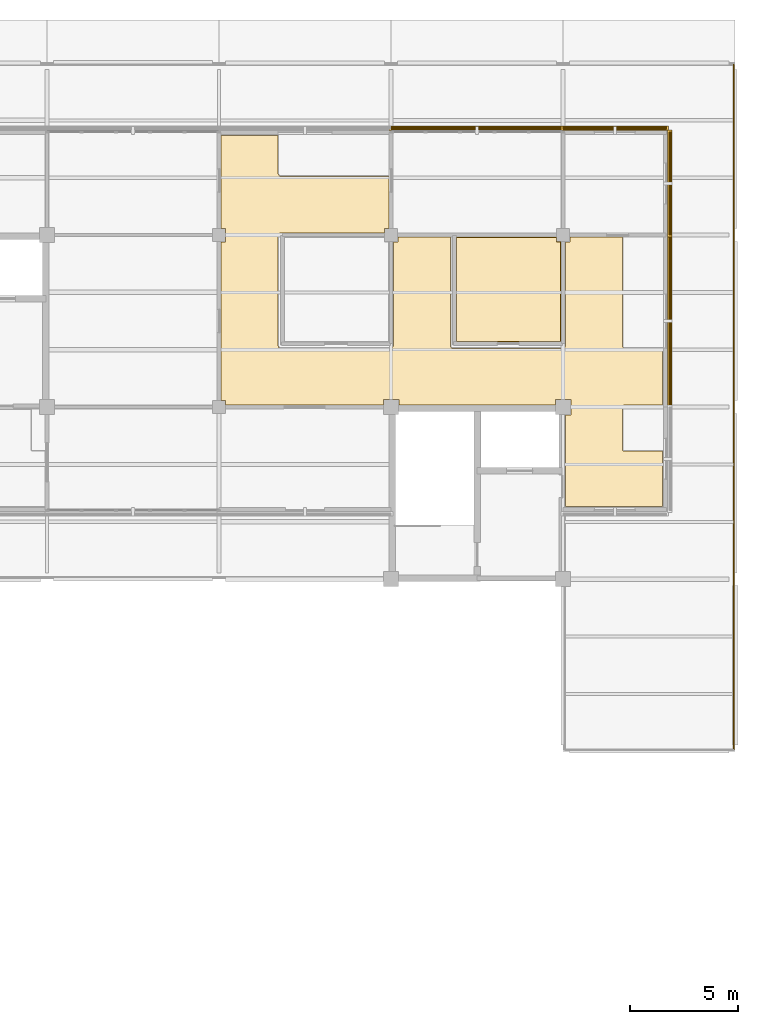
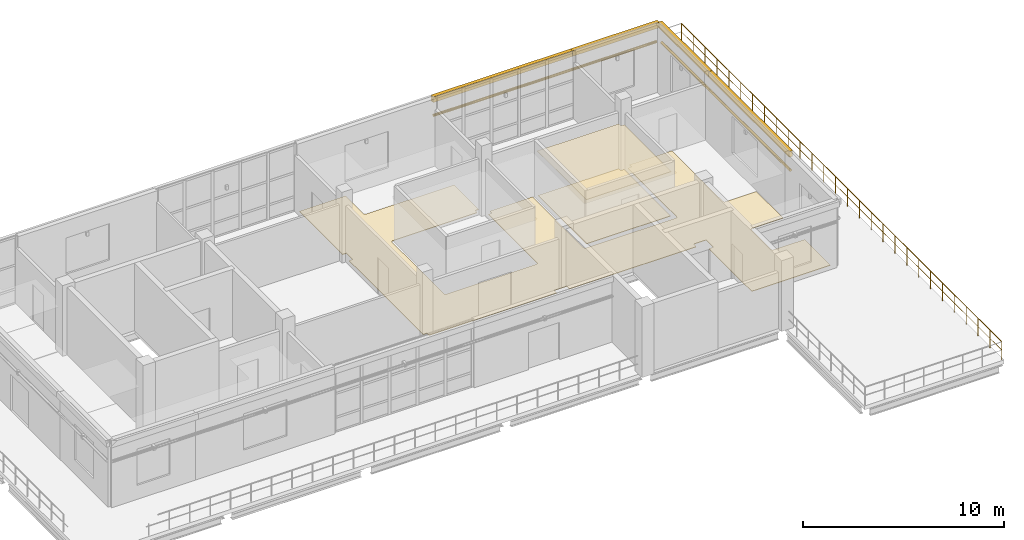
# One storey, part 24 of 24: 7 coverings, 4 shading devices, 1 railing.
"""IFC4 building model written with IfcOpenShell, lengths in metres."""

from ifc_helpers import new_model, si_unit, derived_unit, direction, frame, origin, origin_2d, place, context, subcontext, project, spatial, polyline, rectangle, circle, outline, extrude, material, layer, layer_set, material_profile, profile_set, type_object, element, save


model = new_model("IFC4")

# Units and contexts
model_context = context("Model", 3, precision=1e-05, world=origin(), true_north=direction((0.0, 1.0)))
body_context = subcontext(model_context, "Body", "Model", "MODEL_VIEW")
ifc_project = project(units=[si_unit("LENGTHUNIT", "METRE"), si_unit("AREAUNIT", "SQUARE_METRE"), si_unit("VOLUMEUNIT", "CUBIC_METRE"), si_unit("PLANEANGLEUNIT", "RADIAN"), si_unit("MASSUNIT", "GRAM", prefix="KILO"), derived_unit("THERMALTRANSMITTANCEUNIT", [(si_unit("MASSUNIT", "GRAM", prefix="KILO"), 1), (si_unit("TIMEUNIT", "SECOND"), -3), (si_unit("THERMODYNAMICTEMPERATUREUNIT", "KELVIN"), -1)])], contexts=[model_context])

# Site, building, storey
site_placement = place(None, origin())
site = spatial("IfcSite", under=ifc_project, at=site_placement, CompositionType="ELEMENT")
building_placement = place(site_placement, origin())
building = spatial("IfcBuilding", under=site, at=building_placement, Name="Veyamyaing Civic Hall", CompositionType="ELEMENT")
storey_placement = place(building_placement, frame((0.0, 0.0, 25.739990234375)))
storey = spatial("IfcBuildingStorey", under=building, at=storey_placement, Name="L06", CompositionType="ELEMENT", Elevation=25.739990234375)

# Coverings
ifc_material_1 = material(Name="White powder-coated aluminium 6063-T6", Category="aluminium")
ifc_layer_1 = layer(ifc_material_1, 0.2099609375, Name="White powder-coated aluminium 6063-T6")
ifc_layer_set_1 = layer_set([ifc_layer_1], Name="White powder-coated aluminium 6063-T6")
covering_type_1 = type_object("IfcCoveringType", Name="CL-03", PredefinedType="CLADDING", material=ifc_layer_set_1)
covering_1_placement = place(storey_placement, frame((164.0, 108.9599609375, 3.73974609375), z_axis=(0.0, 0.0, 1.0), x_axis=(1.0, 0.0, 0.0)))
element("IfcCovering", 1, at=covering_1_placement, inside=storey, type_object=covering_type_1, Name="Executive fascia white ribbon CL-03 L06-NE-N-4", PredefinedType="CLADDING", context=body_context, shape_type="SweptSolid", body=[
    extrude(rectangle(XDim=8.179931640625, YDim=0.2099609375, at=origin_2d()), origin(), (0.0, 0.0, 1.0), 0.340087890625),
])
covering_2_placement = place(storey_placement, frame((170.39990234375, 108.9599609375, 3.73974609375), z_axis=(0.0, 0.0, 1.0), x_axis=(1.0, 0.0, 0.0)))
element("IfcCovering", 2, at=covering_2_placement, inside=storey, type_object=covering_type_1, Name="Executive fascia white ribbon CL-03 L06-NE-N-5", PredefinedType="CLADDING", context=body_context, shape_type="SweptSolid", body=[
    extrude(rectangle(XDim=4.97998046875, YDim=0.2099609375, at=origin_2d()), origin(), (0.0, 0.0, 1.0), 0.340087890625),
])
covering_3_placement = place(storey_placement, frame((172.9599609375, 100.0, 3.73974609375), z_axis=(0.0, 0.0, 1.0), x_axis=(0.0, 1.0, 0.0)))
element("IfcCovering", 3, at=covering_3_placement, inside=storey, type_object=covering_type_1, Name="Executive fascia white ribbon CL-03 L06-NE-E-1", PredefinedType="CLADDING", context=body_context, shape_type="SweptSolid", body=[
    extrude(rectangle(XDim=8.179931640625, YDim=0.2099609375, at=origin_2d()), origin(), (0.0, 0.0, 1.0), 0.340087890625),
])
covering_4_placement = place(storey_placement, frame((172.9599609375, 106.39990234375, 3.73974609375), z_axis=(0.0, 0.0, 1.0), x_axis=(0.0, 1.0, 0.0)))
element("IfcCovering", 4, at=covering_4_placement, inside=storey, type_object=covering_type_1, Name="Executive fascia white ribbon CL-03 L06-NE-E-2", PredefinedType="CLADDING", context=body_context, shape_type="SweptSolid", body=[
    extrude(rectangle(XDim=4.97998046875, YDim=0.2099609375, at=origin_2d()), origin(), (0.0, 0.0, 1.0), 0.340087890625),
])
ifc_material_2 = material(Name="Perforated acoustic gypsum ceiling board")
ifc_layer_2 = layer(ifc_material_2, 0.02490234375, Name="Perforated acoustic gypsum ceiling board")
ifc_layer_set_2 = layer_set([ifc_layer_2], Name="Perforated acoustic gypsum ceiling board")
covering_type_2 = type_object("IfcCoveringType", Name="CLG-01", PredefinedType="CEILING", material=ifc_layer_set_2)
covering_5_placement = place(storey_placement, frame((0.0, 0.0, 2.699951171875)))
element("IfcCovering", 5, at=covering_5_placement, inside=storey, type_object=covering_type_2, Name="Acoustic suspended ceiling CLG-01 L06-R004", PredefinedType="CEILING", context=body_context, shape_type="SweptSolid", body=[
    extrude(outline(polyline([(163.02490234375, 103.905029296875), (167.715087890625, 103.905029296875), (167.715087890625, 103.715087890625), (167.905029296875, 103.715087890625), (167.905029296875, 99.02490234375), (163.02490234375, 99.02490234375), (163.02490234375, 103.905029296875)])), origin(), (0.0, 0.0, 1.0), 0.025146484375),
])
ifc_material_3 = material(Name="Polished Mandalay marble and terrazzo flooring", Category="masonry")
ifc_layer_3 = layer(ifc_material_3, 0.030029296875, Name="Polished Mandalay marble and terrazzo flooring")
ifc_layer_set_3 = layer_set([ifc_layer_3], Name="Polished Mandalay marble and terrazzo flooring")
covering_type_3 = type_object("IfcCoveringType", Name="FLR-01", PredefinedType="FLOORING", material=ifc_layer_set_3)
covering_6_placement = place(storey_placement, origin())
element("IfcCovering", 6, at=covering_6_placement, inside=storey, type_object=covering_type_3, Name="Stone and terrazzo flooring FLR-01 L06-C04", PredefinedType="FLOORING", context=body_context, shape_type="SweptSolid", body=[
    extrude(outline(polyline([(154.83056640625, 104.09814453125), (154.802978515625, 104.088134765625), (154.772705078125, 104.0634765625), (154.75439453125, 104.029052734375), (154.75, 104.0), (154.75, 98.85009765625), (154.757568359375, 98.811767578125), (154.779296875, 98.779296875), (154.811767578125, 98.757568359375), (154.85009765625, 98.75), (160.0, 98.75), (160.038330078125, 98.757568359375), (160.07080078125, 98.779296875), (160.09228515625, 98.811767578125), (160.10009765625, 98.85009765625), (160.10009765625, 103.68994140625), (160.31005859375, 103.68994140625), (160.31005859375, 103.89990234375), (162.75, 103.89990234375), (162.75, 98.85009765625), (162.751953125, 98.83056640625), (162.76171875, 98.802978515625), (162.772705078125, 98.78662109375), (162.79443359375, 98.766845703125), (162.821044921875, 98.75439453125), (162.85009765625, 98.75), (168.0, 98.75), (168.029052734375, 98.75439453125), (168.0556640625, 98.766845703125), (168.0830078125, 98.79443359375), (168.095703125, 98.821044921875), (168.10009765625, 98.85009765625), (168.10009765625, 103.68994140625), (168.31005859375, 103.68994140625), (168.31005859375, 103.89990234375), (170.75, 103.89990234375), (170.75, 98.85009765625), (170.757568359375, 98.811767578125), (170.772705078125, 98.78662109375), (170.79443359375, 98.766845703125), (170.821044921875, 98.75439453125), (170.85009765625, 98.75), (172.6201171875, 98.75), (172.6201171875, 96.10009765625), (170.85009765625, 96.10009765625), (170.821044921875, 96.095703125), (170.802978515625, 96.088134765625), (170.772705078125, 96.0634765625), (170.75439453125, 96.029052734375), (170.75, 96.0), (170.751953125, 94.030517578125), (170.76171875, 94.0029296875), (170.78662109375, 93.97265625), (170.821044921875, 93.954345703125), (170.85009765625, 93.949951171875), (172.6201171875, 93.949951171875), (172.6201171875, 91.3798828125), (168.10009765625, 91.3798828125), (168.10009765625, 95.639892578125), (168.360107421875, 95.639892578125), (168.360107421875, 96.360107421875), (167.639892578125, 96.360107421875), (167.639892578125, 96.10009765625), (160.360107421875, 96.10009765625), (160.360107421875, 96.360107421875), (159.639892578125, 96.360107421875), (159.639892578125, 96.10009765625), (152.31005859375, 96.10009765625), (152.31005859375, 96.31005859375), (152.10009765625, 96.31005859375), (152.10009765625, 103.68994140625), (152.31005859375, 103.68994140625), (152.31005859375, 104.31005859375), (152.10009765625, 104.31005859375), (152.10009765625, 108.6201171875), (154.75, 108.6201171875), (154.75, 106.85009765625), (154.75439453125, 106.821044921875), (154.772705078125, 106.78662109375), (154.802978515625, 106.76171875), (154.83056640625, 106.751953125), (159.89990234375, 106.75), (159.89990234375, 104.31005859375), (159.68994140625, 104.31005859375), (159.68994140625, 104.10009765625), (154.83056640625, 104.09814453125)])), origin(), (0.0, 0.0, 1.0), 0.030029296875),
])
covering_7_placement = place(storey_placement, origin())
element("IfcCovering", 7, at=covering_7_placement, inside=storey, type_object=covering_type_3, Name="Stone and terrazzo flooring FLR-01 L06-R004", PredefinedType="FLOORING", context=body_context, shape_type="SweptSolid", body=[
    extrude(outline(polyline([(163.050048828125, 103.8798828125), (167.68994140625, 103.8798828125), (167.68994140625, 103.68994140625), (167.8798828125, 103.68994140625), (167.8798828125, 99.050048828125), (163.050048828125, 99.050048828125), (163.050048828125, 103.8798828125)])), origin(), (0.0, 0.0, 1.0), 0.030029296875),
])

# Railing
ifc_material_4 = material(Name="Steel S355J2", Category="steel")
railing_type = type_object("IfcRailingType", Name="RL-01", PredefinedType="BALUSTRADE", material=ifc_material_4)
railing_placement = place(storey_placement, frame((175.919921875, 111.919921875, 0.0)))
element("IfcRailing", 8, at=railing_placement, inside=storey, type_object=railing_type, Name="Setback terrace balustrade RL-01 L06.2.3", PredefinedType="BALUSTRADE", context=body_context, shape_type="SweptSolid", body=[
    extrude(circle(Radius=0.02392578125, at=origin_2d()), frame((0.0, 0.0, 1.076171875), z_axis=(0.0, -1.0, 0.0), x_axis=(1.0, 0.0, 0.0)), (0.0, 0.0, 1.0), 31.83984375),
    extrude(circle(Radius=0.01416015625, at=origin_2d()), frame((0.0, 0.0, 0.572021484375), z_axis=(0.0, -1.0, 0.0), x_axis=(1.0, 0.0, 0.0)), (0.0, 0.0, 1.0), 31.83984375),
    extrude(circle(Radius=0.02099609375, at=origin_2d()), origin(), (0.0, 0.0, 1.0), 1.052001953125),
    extrude(circle(Radius=0.02099609375, at=origin_2d()), frame((0.0, -1.17919921875, 0.0)), (0.0, 0.0, 1.0), 1.052001953125),
    extrude(circle(Radius=0.02099609375, at=origin_2d()), frame((0.0, -2.3583984375, 0.0)), (0.0, 0.0, 1.0), 1.052001953125),
    extrude(circle(Radius=0.02099609375, at=origin_2d()), frame((0.0, -3.537841796875, 0.0)), (0.0, 0.0, 1.0), 1.052001953125),
    extrude(circle(Radius=0.02099609375, at=origin_2d()), frame((0.0, -4.717041015625, 0.0)), (0.0, 0.0, 1.0), 1.052001953125),
    extrude(circle(Radius=0.02099609375, at=origin_2d()), frame((0.0, -5.896240234375, 0.0)), (0.0, 0.0, 1.0), 1.052001953125),
    extrude(circle(Radius=0.02099609375, at=origin_2d()), frame((0.0, -7.075439453125, 0.0)), (0.0, 0.0, 1.0), 1.052001953125),
    extrude(circle(Radius=0.02099609375, at=origin_2d()), frame((0.0, -8.2548828125, 0.0)), (0.0, 0.0, 1.0), 1.052001953125),
    extrude(circle(Radius=0.02099609375, at=origin_2d()), frame((0.0, -9.43408203125, 0.0)), (0.0, 0.0, 1.0), 1.052001953125),
    extrude(circle(Radius=0.02099609375, at=origin_2d()), frame((0.0, -10.61328125, 0.0)), (0.0, 0.0, 1.0), 1.052001953125),
    extrude(circle(Radius=0.02099609375, at=origin_2d()), frame((0.0, -11.79248046875, 0.0)), (0.0, 0.0, 1.0), 1.052001953125),
    extrude(circle(Radius=0.02099609375, at=origin_2d()), frame((0.0, -12.9716796875, 0.0)), (0.0, 0.0, 1.0), 1.052001953125),
    extrude(circle(Radius=0.02099609375, at=origin_2d()), frame((0.0, -14.151123046875, 0.0)), (0.0, 0.0, 1.0), 1.052001953125),
    extrude(circle(Radius=0.02099609375, at=origin_2d()), frame((0.0, -15.330322265625, 0.0)), (0.0, 0.0, 1.0), 1.052001953125),
    extrude(circle(Radius=0.02099609375, at=origin_2d()), frame((0.0, -16.509521484375, 0.0)), (0.0, 0.0, 1.0), 1.052001953125),
    extrude(circle(Radius=0.02099609375, at=origin_2d()), frame((0.0, -17.688720703125, 0.0)), (0.0, 0.0, 1.0), 1.052001953125),
    extrude(circle(Radius=0.02099609375, at=origin_2d()), frame((0.0, -18.8681640625, 0.0)), (0.0, 0.0, 1.0), 1.052001953125),
    extrude(circle(Radius=0.02099609375, at=origin_2d()), frame((0.0, -20.04736328125, 0.0)), (0.0, 0.0, 1.0), 1.052001953125),
    extrude(circle(Radius=0.02099609375, at=origin_2d()), frame((0.0, -21.2265625, 0.0)), (0.0, 0.0, 1.0), 1.052001953125),
    extrude(circle(Radius=0.02099609375, at=origin_2d()), frame((0.0, -22.40576171875, 0.0)), (0.0, 0.0, 1.0), 1.052001953125),
    extrude(circle(Radius=0.02099609375, at=origin_2d()), frame((0.0, -23.5849609375, 0.0)), (0.0, 0.0, 1.0), 1.052001953125),
    extrude(circle(Radius=0.02099609375, at=origin_2d()), frame((0.0, -24.764404296875, 0.0)), (0.0, 0.0, 1.0), 1.052001953125),
    extrude(circle(Radius=0.02099609375, at=origin_2d()), frame((0.0, -25.943603515625, 0.0)), (0.0, 0.0, 1.0), 1.052001953125),
    extrude(circle(Radius=0.02099609375, at=origin_2d()), frame((0.0, -27.122802734375, 0.0)), (0.0, 0.0, 1.0), 1.052001953125),
    extrude(circle(Radius=0.02099609375, at=origin_2d()), frame((0.0, -28.302001953125, 0.0)), (0.0, 0.0, 1.0), 1.052001953125),
    extrude(circle(Radius=0.02099609375, at=origin_2d()), frame((0.0, -29.4814453125, 0.0)), (0.0, 0.0, 1.0), 1.052001953125),
    extrude(circle(Radius=0.02099609375, at=origin_2d()), frame((0.0, -30.66064453125, 0.0)), (0.0, 0.0, 1.0), 1.052001953125),
    extrude(circle(Radius=0.02099609375, at=origin_2d()), frame((0.0, -31.83984375, 0.0)), (0.0, 0.0, 1.0), 1.052001953125),
])

# Shading devices
ifc_material_profile = material_profile(ifc_material_1, circle(Radius=0.074951171875, at=origin_2d()), Name="SHADE-TUBE-150")
ifc_profile_set = profile_set([ifc_material_profile], Name="White powder-coated aluminium 6063-T6")
shading_device_type = type_object("IfcShadingDeviceType", Name="SH-03", PredefinedType="USERDEFINED", material=ifc_profile_set)
shading_device_1_placement = place(storey_placement, frame((160.0, 108.989990234375, 2.85009765625), z_axis=(1.0, 0.0, 0.0), x_axis=(0.0, 1.0, 0.0)))
element("IfcShadingDevice", 9, at=shading_device_1_placement, inside=storey, type_object=shading_device_type, Name="Executive sunshade ribbon SH-03 L06-NE-N-4", ObjectType="SUNSHADE", PredefinedType="USERDEFINED", context=body_context, shape_type="SweptSolid", body=[
    extrude(circle(Radius=0.074951171875, at=origin_2d()), origin(), (0.0, 0.0, 1.0), 8.0),
])
shading_device_2_placement = place(storey_placement, frame((168.0, 108.989990234375, 2.85009765625), z_axis=(1.0, 0.0, 0.0), x_axis=(0.0, 1.0, 0.0)))
element("IfcShadingDevice", 10, at=shading_device_2_placement, inside=storey, type_object=shading_device_type, Name="Executive sunshade ribbon SH-03 L06-NE-N-5", ObjectType="SUNSHADE", PredefinedType="USERDEFINED", context=body_context, shape_type="SweptSolid", body=[
    extrude(circle(Radius=0.074951171875, at=origin_2d()), origin(), (0.0, 0.0, 1.0), 4.800048828125),
])
shading_device_3_placement = place(storey_placement, frame((172.989990234375, 96.0, 2.85009765625), z_axis=(0.0, 1.0, 0.0), x_axis=(-1.0, 0.0, 0.0)))
element("IfcShadingDevice", 11, at=shading_device_3_placement, inside=storey, type_object=shading_device_type, Name="Executive sunshade ribbon SH-03 L06-NE-E-1", ObjectType="SUNSHADE", PredefinedType="USERDEFINED", context=body_context, shape_type="SweptSolid", body=[
    extrude(circle(Radius=0.074951171875, at=origin_2d()), origin(), (0.0, 0.0, 1.0), 8.0),
])
shading_device_4_placement = place(storey_placement, frame((172.989990234375, 104.0, 2.85009765625), z_axis=(0.0, 1.0, 0.0), x_axis=(-1.0, 0.0, 0.0)))
element("IfcShadingDevice", 12, at=shading_device_4_placement, inside=storey, type_object=shading_device_type, Name="Executive sunshade ribbon SH-03 L06-NE-E-2", ObjectType="SUNSHADE", PredefinedType="USERDEFINED", context=body_context, shape_type="SweptSolid", body=[
    extrude(circle(Radius=0.074951171875, at=origin_2d()), origin(), (0.0, 0.0, 1.0), 4.800048828125),
])

save(model, "model.ifc")
